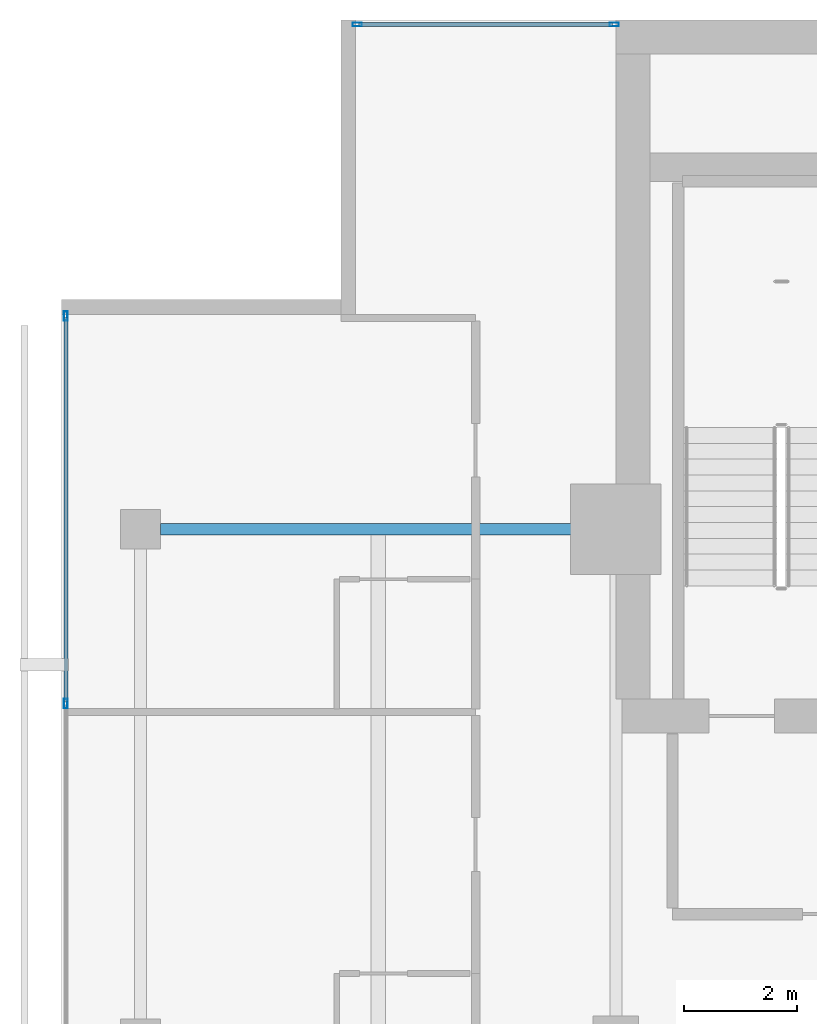
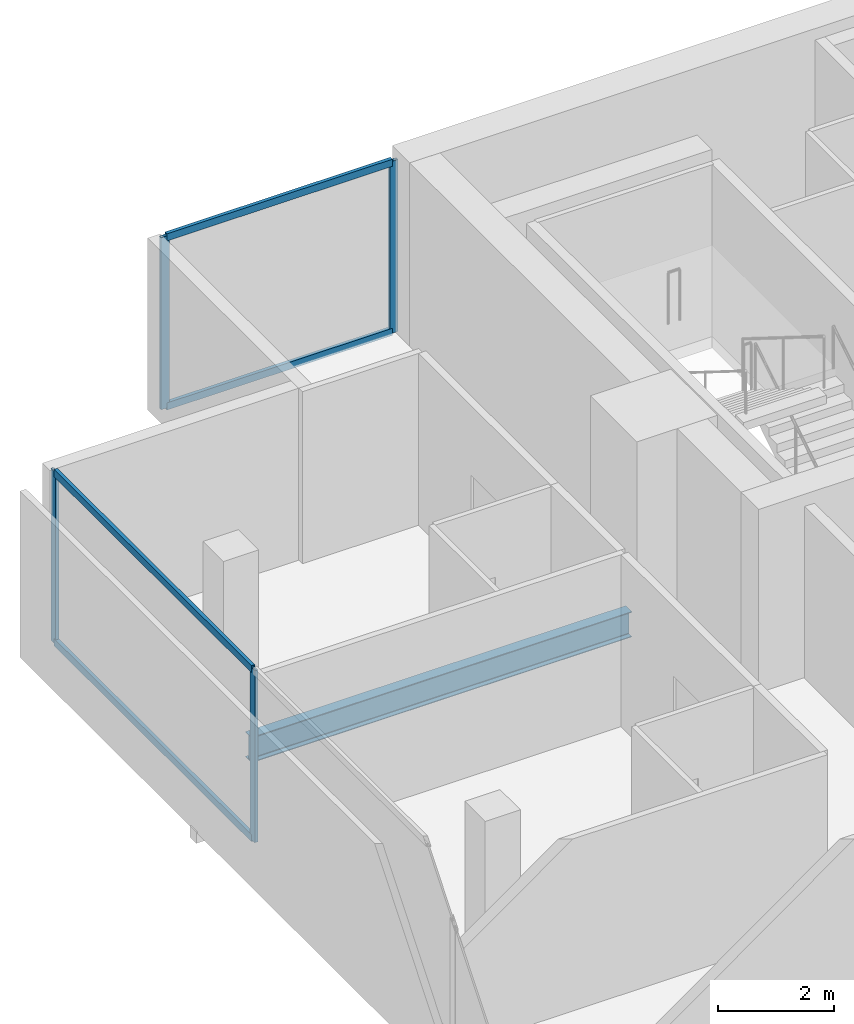
# One storey, part 16 of 25: 8 members, 1 beam, 2 elements without a shape of their own.
"""IFC4 building model written with IfcOpenShell, lengths in metres."""

from ifc_helpers import new_model, si_unit, direction, frame, origin, origin_2d, place, context, subcontext, project, spatial, hollow_rectangle, i_section, extrude, material, layer, layer_set, material_profile, profile_set, type_object, element, aggregate, save


model = new_model("IFC4")

# Units and contexts
model_context = context("Model", 3, precision=1e-05, world=origin(), true_north=direction((0.0, 1.0)))
body_context = subcontext(model_context, "Body", "Model", "MODEL_VIEW")
ifc_project = project(units=[si_unit("LENGTHUNIT", "METRE"), si_unit("AREAUNIT", "SQUARE_METRE"), si_unit("VOLUMEUNIT", "CUBIC_METRE"), si_unit("PLANEANGLEUNIT", "RADIAN"), si_unit("MASSUNIT", "GRAM", prefix="KILO")], contexts=[model_context])

# Site, building, storey
site_placement = place(None, origin())
site = spatial("IfcSite", under=ifc_project, at=site_placement, CompositionType="ELEMENT")
building_placement = place(site_placement, origin())
building = spatial("IfcBuilding", under=site, at=building_placement, Name="Maruvema Waterfront Hotel and Observation Tower", CompositionType="ELEMENT")
storey_placement = place(building_placement, frame((0.0, 0.0, 247.10009765625)))
storey = spatial("IfcBuildingStorey", under=building, at=storey_placement, Name="L60", CompositionType="ELEMENT", Elevation=247.10009765625)

# Curtain wall, members
ifc_material_1 = material(Name="Anodised bronze aluminium and solar-control low-E IGU", Category="aluminium")
ifc_layer = layer(ifc_material_1, 0.159912109375, Name="Zone 3 Champagne Inner Thermal Curtain Wall System CW-04")
ifc_layer_set = layer_set([ifc_layer], Name="Anodised bronze aluminium and solar-control low-E IGU")
curtain_wall_type = type_object("IfcCurtainWallType", Name="Zone 3 Champagne Inner Thermal Curtain Wall System CW-04", PredefinedType="USERDEFINED", material=ifc_layer_set)
curtain_wall_1_placement = place(storey_placement, origin())
curtain_wall_1 = element("IfcCurtainWall", 1, at=curtain_wall_1_placement, inside=storey, type_object=curtain_wall_type, Name="L60 Curtain Wall CW-L60-W", ObjectType="UNITISED CURTAIN WALL", PredefinedType="USERDEFINED")
ifc_material_2 = material(Name="Anodised architectural bronze aluminium", Category="aluminium")
ifc_material_profile_1 = material_profile(ifc_material_2, hollow_rectangle(XDim=0.070068359375, YDim=0.14990234375, WallThickness=0.00390625, at=origin_2d()), Name="ALU-T70x150")
ifc_profile_set_1 = profile_set([ifc_material_profile_1], Name="Anodised architectural bronze aluminium")
member_type_1 = type_object("IfcMemberType", Name="Curtain Wall Horizontal Transom ALU-T70x150", PredefinedType="USERDEFINED", material=ifc_profile_set_1)
member_1_placement = place(storey_placement, frame((15.47998046875, 48.739990234375, 0.02978515625), z_axis=(0.0, -1.0, 0.0), x_axis=(1.0, 0.0, 0.0)))
member_1 = element("IfcMember", 2, at=member_1_placement, type_object=member_type_1, Name="CW-04 transom 1.1", ObjectType="TRANSOM", PredefinedType="USERDEFINED", context=body_context, shape_type="SweptSolid", body=[
    extrude(hollow_rectangle(XDim=0.070068359375, YDim=0.14990234375, WallThickness=0.00390625, at=origin_2d()), origin(), (0.0, 0.0, 1.0), 6.7900390625),
])
member_2_placement = place(storey_placement, frame((15.47998046875, 48.739990234375, 3.579833984375), z_axis=(0.0, -1.0, 0.0), x_axis=(1.0, 0.0, 0.0)))
member_2 = element("IfcMember", 3, at=member_2_placement, type_object=member_type_1, Name="CW-04 transom 1.2", ObjectType="TRANSOM", PredefinedType="USERDEFINED", context=body_context, shape_type="SweptSolid", body=[
    extrude(hollow_rectangle(XDim=0.070068359375, YDim=0.14990234375, WallThickness=0.00390625, at=origin_2d()), origin(), (0.0, 0.0, 1.0), 6.7900390625),
])

curtain_wall_2_placement = place(storey_placement, origin())
curtain_wall_2 = element("IfcCurtainWall", 4, at=curtain_wall_2_placement, inside=storey, type_object=curtain_wall_type, Name="L60 Curtain Wall CW-L60-NW", ObjectType="UNITISED CURTAIN WALL", PredefinedType="USERDEFINED")
member_3_placement = place(storey_placement, frame((25.139892578125, 53.919921875, 0.02978515625), z_axis=(-1.0, 0.0, 0.0), x_axis=(0.0, -1.0, 0.0)))
member_3 = element("IfcMember", 5, at=member_3_placement, type_object=member_type_1, Name="CW-04 transom 1.1", ObjectType="TRANSOM", PredefinedType="USERDEFINED", context=body_context, shape_type="SweptSolid", body=[
    extrude(hollow_rectangle(XDim=0.070068359375, YDim=0.14990234375, WallThickness=0.00390625, at=origin_2d()), origin(), (0.0, 0.0, 1.0), 4.47998046875),
])
member_4_placement = place(storey_placement, frame((25.139892578125, 53.919921875, 3.579833984375), z_axis=(-1.0, 0.0, 0.0), x_axis=(0.0, -1.0, 0.0)))
member_4 = element("IfcMember", 6, at=member_4_placement, type_object=member_type_1, Name="CW-04 transom 1.2", ObjectType="TRANSOM", PredefinedType="USERDEFINED", context=body_context, shape_type="SweptSolid", body=[
    extrude(hollow_rectangle(XDim=0.070068359375, YDim=0.14990234375, WallThickness=0.00390625, at=origin_2d()), origin(), (0.0, 0.0, 1.0), 4.47998046875),
])

# Member
ifc_material_3 = material(Name="Anodised architectural bronze aluminium", Category="aluminium")
ifc_material_profile_2 = material_profile(ifc_material_3, hollow_rectangle(XDim=0.06494140625, YDim=0.1650390625, WallThickness=0.00390625, at=origin_2d()), Name="ALU-M65x165")
ifc_profile_set_2 = profile_set([ifc_material_profile_2], Name="Anodised architectural bronze aluminium")
member_type_2 = type_object("IfcMemberType", Name="Curtain Wall Primary Mullion ALU-M65x165", PredefinedType="MULLION", material=ifc_profile_set_2)
member_5_placement = place(storey_placement, frame((15.47998046875, 48.77001953125, 0.0), z_axis=(0.0, 0.0, 1.0), x_axis=(1.0, 0.0, 0.0)))
member_5 = element("IfcMember", 7, at=member_5_placement, type_object=member_type_2, Name="CW-04 mullion 1", PredefinedType="MULLION", context=body_context, shape_type="SweptSolid", body=[
    extrude(hollow_rectangle(XDim=0.06494140625, YDim=0.1650390625, WallThickness=0.00390625, at=origin_2d()), origin(), (0.0, 0.0, 1.0), 3.60986328125),
])

member_6_placement = place(storey_placement, frame((15.47998046875, 41.919921875, 0.0), z_axis=(0.0, 0.0, 1.0), x_axis=(1.0, 0.0, 0.0)))
member_6 = element("IfcMember", 8, at=member_6_placement, type_object=member_type_2, Name="CW-04 mullion 2", PredefinedType="MULLION", context=body_context, shape_type="SweptSolid", body=[
    extrude(hollow_rectangle(XDim=0.06494140625, YDim=0.1650390625, WallThickness=0.00390625, at=origin_2d()), origin(), (0.0, 0.0, 1.0), 3.60986328125),
])

aggregate(curtain_wall_1, [member_5, member_6, member_1, member_2])

member_7_placement = place(storey_placement, frame((25.169921875, 53.919921875, 0.0), z_axis=(0.0, 0.0, 1.0), x_axis=(0.0, -1.0, 0.0)))
member_7 = element("IfcMember", 9, at=member_7_placement, type_object=member_type_2, Name="CW-04 mullion 1", PredefinedType="MULLION", context=body_context, shape_type="SweptSolid", body=[
    extrude(hollow_rectangle(XDim=0.06494140625, YDim=0.1650390625, WallThickness=0.00390625, at=origin_2d()), origin(), (0.0, 0.0, 1.0), 3.60986328125),
])

member_8_placement = place(storey_placement, frame((20.6298828125, 53.919921875, 0.0), z_axis=(0.0, 0.0, 1.0), x_axis=(0.0, -1.0, 0.0)))
member_8 = element("IfcMember", 10, at=member_8_placement, type_object=member_type_2, Name="CW-04 mullion 2", PredefinedType="MULLION", context=body_context, shape_type="SweptSolid", body=[
    extrude(hollow_rectangle(XDim=0.06494140625, YDim=0.1650390625, WallThickness=0.00390625, at=origin_2d()), origin(), (0.0, 0.0, 1.0), 3.60986328125),
])

aggregate(curtain_wall_2, [member_7, member_8, member_3, member_4])

# Beam
ifc_material_4 = material(Name="Steel ASTM A572 Grade 50", Category="steel")
ifc_material_profile_3 = material_profile(ifc_material_4, i_section(OverallWidth=0.208984375, OverallDepth=0.532958984375, WebThickness=0.01025390625, FlangeThickness=0.015625, FilletRadius=0.014892578125, at=origin_2d()), Name="W530x92.0")
ifc_profile_set_3 = profile_set([ifc_material_profile_3], Name="Steel ASTM A572 Grade 50")
beam_type = type_object("IfcBeamType", Name="Primary Floor Girder W530x92.0", PredefinedType="BEAM", material=ifc_profile_set_3)
beam_placement = place(storey_placement, frame((17.14990234375, 45.0, -0.506591796875), z_axis=(1.0, 0.0, 0.0), x_axis=(0.0, 1.0, 0.0)))
element("IfcBeam", 11, at=beam_placement, inside=storey, type_object=beam_type, Name="L60 Floor Girder EW-17", PredefinedType="BEAM", context=body_context, shape_type="SweptSolid", body=[
    extrude(i_section(OverallWidth=0.208984375, OverallDepth=0.532958984375, WebThickness=0.01025390625, FlangeThickness=0.015625, FilletRadius=0.014892578125, at=origin_2d()), origin(), (0.0, 0.0, 1.0), 7.550048828125),
])

save(model, "model.ifc")
